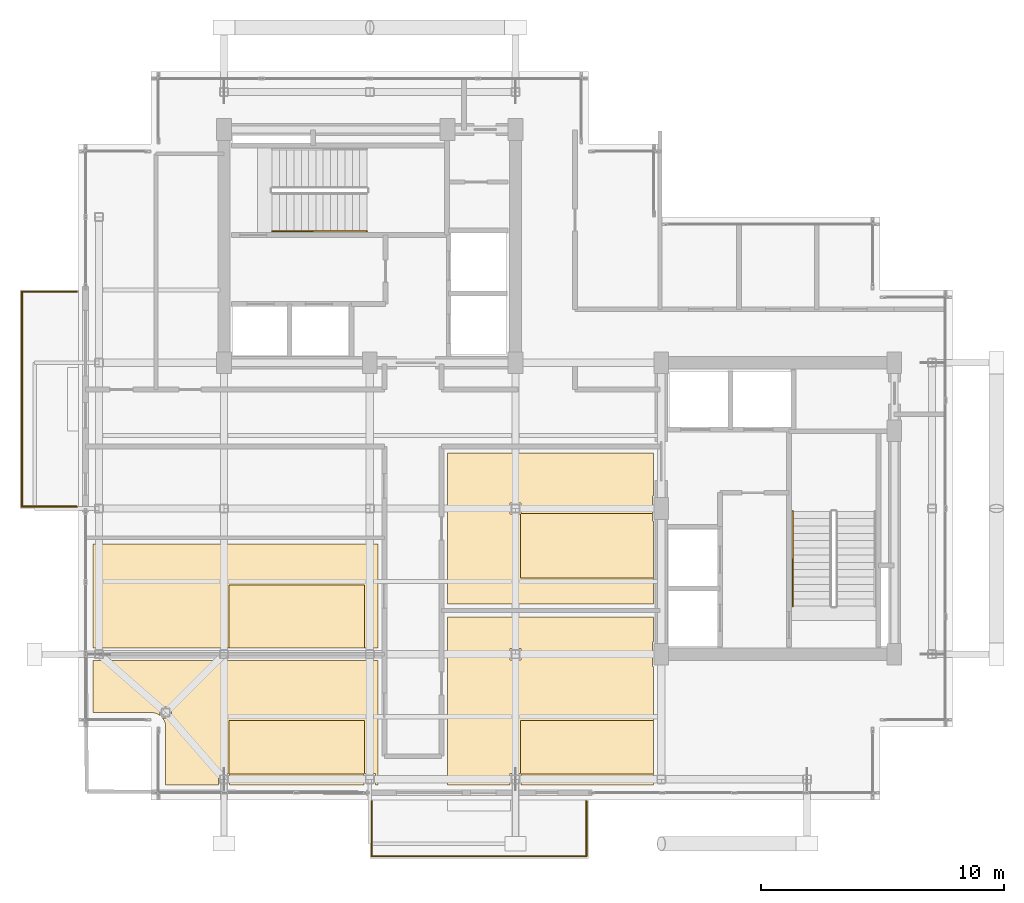
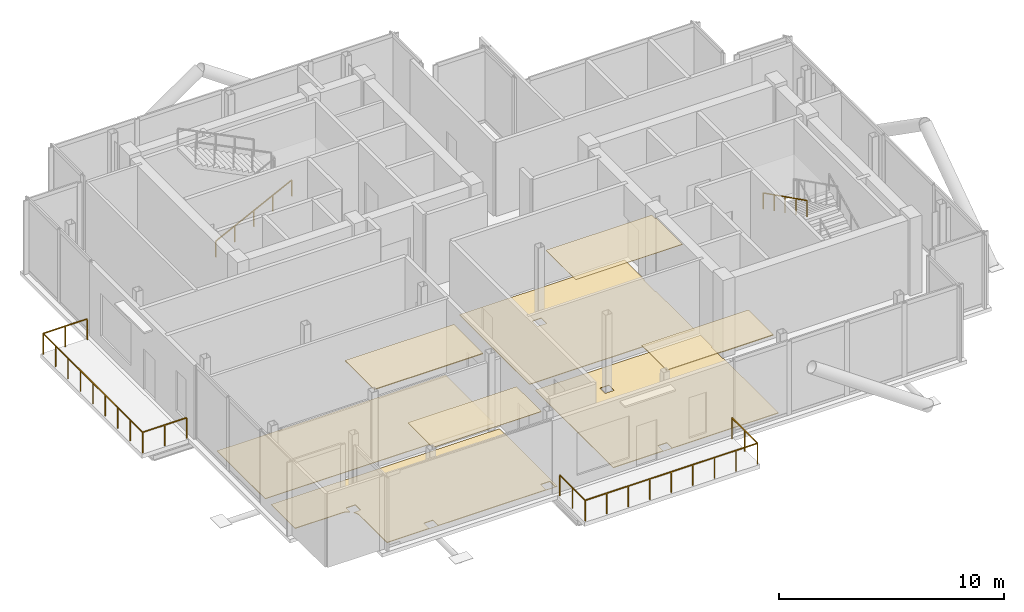
# One storey, part 15 of 16: 8 coverings, 4 railings.
"""IFC4 building model written with IfcOpenShell, lengths in metres."""

import ifcopenshell
import ifcopenshell.guid

model = None  # the IFC model being written
_history = None  # IfcOwnerHistory: only IFC2X3 demands one
_inside = {}  # id of a spatial element -> (the spatial element, [elements in it])
_under = {}  # id of a project, library or spatial element -> (it, [spatial elements below it])
_declared = {}  # id of a project -> (the project, [libraries it declares])
_typed = {}  # id of a type object -> (the type object, [elements of that type])
_made_of = {}  # id of a material, layer set ... -> (it, [elements and type objects made of it])


def new_model(schema):
    """Start an empty IFC model of exactly this schema.

    Asked for "IFC4X3", IfcOpenShell would pick the latest addendum, in which some entities
    have other attributes; the version numbers below select the first issue.
    IFC2X3 requires an IfcOwnerHistory on every rooted entity: one is made here for all.
    """
    global model, _history
    if schema == "IFC4X3":
        model = ifcopenshell.file(schema_version=(4, 3, 0, 0))
    else:
        model = ifcopenshell.file(schema=schema)
    _inside.clear()
    _under.clear()
    _declared.clear()
    _typed.clear()
    _made_of.clear()
    _history = None
    if model.schema == "IFC2X3":
        org = make("IfcOrganization", Name="unknown")
        user = make(
            "IfcPersonAndOrganization",
            ThePerson=make("IfcPerson", FamilyName="unknown"),
            TheOrganization=org,
        )
        app = make(
            "IfcApplication",
            ApplicationDeveloper=org,
            Version="unknown",
            ApplicationFullName="unknown",
            ApplicationIdentifier="unknown",
        )
        _history = make(
            "IfcOwnerHistory",
            OwningUser=user,
            OwningApplication=app,
            ChangeAction="ADDED",
            CreationDate=0,
        )
    return model


def make(cls, **values):
    """One entity of the class cls with the attributes given. An attribute that is None is left unset."""
    return model.create_entity(
        cls, **{name: value for name, value in values.items() if value is not None}
    )


def rooted(cls, **values):
    """An entity with a GlobalId (a new one), such as an element, a storey or a relation."""
    return make(cls, GlobalId=ifcopenshell.guid.new(), OwnerHistory=_history, **values)


def si_unit(unit_type, name, prefix=None):
    """IfcSIUnit, for example si_unit("LENGTHUNIT", "METRE", prefix="MILLI")."""
    return make("IfcSIUnit", UnitType=unit_type, Prefix=prefix, Name=name)


def assignment(units):
    """IfcUnitAssignment: the units of a project."""
    return None if units is None else make("IfcUnitAssignment", Units=units)


def point(xyz):
    """IfcCartesianPoint."""
    return None if xyz is None else make("IfcCartesianPoint", Coordinates=xyz)


def direction(xyz):
    """IfcDirection."""
    return None if xyz is None else make("IfcDirection", DirectionRatios=xyz)


def frame(location, z_axis=None, x_axis=None):
    """IfcAxis2Placement3D, a coordinate frame: its origin and axes. An axis left out is left unset."""
    return make(
        "IfcAxis2Placement3D",
        Location=point(location),
        Axis=direction(z_axis),
        RefDirection=direction(x_axis),
    )


def frame_2d(location, x_axis=None):
    """IfcAxis2Placement2D, a coordinate frame in the plane: its origin and x axis."""
    return make(
        "IfcAxis2Placement2D", Location=point(location), RefDirection=direction(x_axis)
    )


def origin():
    """The frame at (0, 0, 0) with its axes left unset."""
    return frame((0.0, 0.0, 0.0))


def origin_2d():
    """The frame at (0, 0) in the plane with its x axis left unset."""
    return frame_2d((0.0, 0.0))


def place(relative_to, where):
    """IfcLocalPlacement: puts the frame where relative to a parent placement (None: the world)."""
    return make(
        "IfcLocalPlacement", PlacementRelTo=relative_to, RelativePlacement=where
    )


def context(
    kind, dimensions, precision=None, world=None, true_north=None, identifier=None
):
    """IfcGeometricRepresentationContext, for example the 3D "Model" context."""
    return make(
        "IfcGeometricRepresentationContext",
        ContextIdentifier=identifier,
        ContextType=kind,
        CoordinateSpaceDimension=dimensions,
        Precision=precision,
        WorldCoordinateSystem=world,
        TrueNorth=true_north,
    )


def subcontext(parent, identifier, kind, view, scale=None):
    """IfcGeometricRepresentationSubContext, for example "Body" below "Model"."""
    return make(
        "IfcGeometricRepresentationSubContext",
        ContextIdentifier=identifier,
        ContextType=kind,
        ParentContext=parent,
        TargetScale=scale,
        TargetView=view,
    )


def project(units=None, contexts=None):
    """IfcProject with its units and contexts."""
    return rooted(
        "IfcProject",
        Name="project",
        RepresentationContexts=contexts,
        UnitsInContext=assignment(units),
    )


def spatial(cls, under=None, at=None, **own):
    """A site, building, storey or space (cls), placed at a placement, below another one or the project."""
    s = rooted(cls, ObjectPlacement=at, **own)
    if under is not None:
        _under.setdefault(under.id(), (under, []))[1].append(s)
    return s


def polyline(points):
    """IfcPolyline through the points."""
    return make("IfcPolyline", Points=[point(p) for p in points])


def profile(cls, at=None, kind="AREA", **sizes):
    """A parametric profile (cls). Its sizes go by their IFC names, for example OverallWidth=200.0."""
    return make(cls, ProfileType=kind, Position=at, **sizes)


def rectangle(**sizes):
    """IfcRectangleProfileDef."""
    return profile("IfcRectangleProfileDef", **sizes)


def outline(outer, holes=None, kind="AREA"):
    """IfcArbitraryClosedProfileDef: a profile drawn as a closed curve; with holes, ...WithVoids."""
    if holes is None:
        return make("IfcArbitraryClosedProfileDef", ProfileType=kind, OuterCurve=outer)
    return make(
        "IfcArbitraryProfileDefWithVoids",
        ProfileType=kind,
        OuterCurve=outer,
        InnerCurves=holes,
    )


def extrude(swept, where, along, depth):
    """IfcExtrudedAreaSolid: the profile swept, set in the frame where, extruded along a direction by depth."""
    return make(
        "IfcExtrudedAreaSolid",
        SweptArea=swept,
        Position=where,
        ExtrudedDirection=direction(along),
        Depth=depth,
    )


def shape(context_of_items, identifier, shape_type, items):
    """IfcShapeRepresentation: the items that make up one representation, for example the "Body"."""
    return make(
        "IfcShapeRepresentation",
        ContextOfItems=context_of_items,
        RepresentationIdentifier=identifier,
        RepresentationType=shape_type,
        Items=items,
    )


def material(Name=None, Category=None):
    """IfcMaterial."""
    return make("IfcMaterial", Name=Name, Category=Category)


def layer(
    of_material, thickness, ventilated=None, Name=None, Category=None, Priority=None
):
    """IfcMaterialLayer: one layer of a wall or slab, of a material (None: an air gap)."""
    return make(
        "IfcMaterialLayer",
        Material=of_material,
        LayerThickness=thickness,
        IsVentilated=ventilated,
        Name=Name,
        Category=Category,
        Priority=Priority,
    )


def layer_set(layers, Name=None):
    """IfcMaterialLayerSet."""
    return make("IfcMaterialLayerSet", MaterialLayers=layers, LayerSetName=Name)


def made_of(thing, what):
    """Note that an element or type object is made of a material, layer set ...; save() writes the relation."""
    if what is not None:
        _made_of.setdefault(what.id(), (what, []))[1].append(thing)
    return thing


def type_object(cls, material=None, **own):
    """A type object (cls), such as IfcWallType, which elements share."""
    return made_of(rooted(cls, **own), material)


def element(
    cls,
    number,
    at=None,
    inside=None,
    cuts=None,
    type_object=None,
    material=None,
    context=None,
    identifier="Body",
    shape_type=None,
    held_by="IfcProductDefinitionShape",
    body=None,
    shapes=None,
    **own,
):
    """One element of the class cls, such as IfcWall. Its Tag is "e" and its number.

    at: its placement. inside: the storey or other place that contains it. cuts: it is an
    opening in that element (IfcRelVoidsElement). A single representation is given by context,
    identifier, shape_type and body (its items); several are given by shapes. held_by: the class
    of the entity that holds the representations. save() writes the other relations.
    """
    e = rooted(cls, Tag="e%d" % number, ObjectPlacement=at, **own)
    if body is not None:
        shapes = [shape(context, identifier, shape_type, body)]
    if shapes is not None:
        e.Representation = make(held_by, Representations=shapes)
    if inside is not None:
        _inside.setdefault(inside.id(), (inside, []))[1].append(e)
    if cuts is not None:
        rooted(
            "IfcRelVoidsElement", RelatingBuildingElement=cuts, RelatedOpeningElement=e
        )
    if type_object is not None:
        _typed.setdefault(type_object.id(), (type_object, []))[1].append(e)
    return made_of(e, material)


def aggregate(whole, parts):
    """IfcRelAggregates: a whole, such as a stair, and the parts it consists of."""
    return rooted("IfcRelAggregates", RelatingObject=whole, RelatedObjects=parts)


def save(model, path):
    """Write the relations noted so far, then the file.

    IfcRelAggregates (storeys below a building ...), IfcRelContainedInSpatialStructure (elements
    in a storey), IfcRelDefinesByType, IfcRelAssociatesMaterial and IfcRelDeclares: one each for
    every whole, place, type object, material and project.
    """
    for whole, parts in _under.values():
        aggregate(whole, parts)
    for where, things in _inside.values():
        rooted(
            "IfcRelContainedInSpatialStructure",
            RelatedElements=things,
            RelatingStructure=where,
        )
    for kind, things in _typed.values():
        rooted("IfcRelDefinesByType", RelatedObjects=things, RelatingType=kind)
    for what, things in _made_of.values():
        rooted("IfcRelAssociatesMaterial", RelatedObjects=things, RelatingMaterial=what)
    for by, libraries in _declared.values():
        rooted("IfcRelDeclares", RelatingContext=by, RelatedDefinitions=libraries)
    model.write(path)


model = new_model("IFC4")

# Units and contexts
model_context = context("Model", 3, precision=1e-05, world=origin(), true_north=direction((0.0, 1.0)))
body_context = subcontext(model_context, "Body", "Model", "MODEL_VIEW")
ifc_project = project(units=[si_unit("LENGTHUNIT", "METRE"), si_unit("AREAUNIT", "SQUARE_METRE"), si_unit("VOLUMEUNIT", "CUBIC_METRE"), si_unit("PLANEANGLEUNIT", "RADIAN"), si_unit("MASSUNIT", "GRAM", prefix="KILO"), si_unit("THERMODYNAMICTEMPERATUREUNIT", "KELVIN"), si_unit("POWERUNIT", "WATT")], contexts=[model_context])

# Site, building, storey
site_placement = place(None, origin())
site = spatial("IfcSite", under=ifc_project, at=site_placement, CompositionType="ELEMENT")
building_placement = place(site_placement, origin())
building = spatial("IfcBuilding", under=site, at=building_placement, Name="Svarakhadi Broadcast Tower", CompositionType="ELEMENT")
storey_placement = place(building_placement, frame((0.0, 0.0, 292.199951171875)))
storey = spatial("IfcBuildingStorey", under=building, at=storey_placement, Name="L74", CompositionType="ELEMENT", Elevation=292.199951171875)

# Coverings
ifc_material_1 = material(Name="Anodised Bronze Aluminium Linear Acoustic Baffle", Category="aluminium")
ifc_layer_1 = layer(ifc_material_1, 0.044921875)
ifc_layer_set_1 = layer_set([ifc_layer_1], Name="Anodised Bronze Aluminium Linear Acoustic Baffle")
covering_type_1 = type_object("IfcCoveringType", Name="Cov_Ceiling_Baffle", PredefinedType="CEILING", material=ifc_layer_set_1)
covering_1_placement = place(storey_placement, frame((0.0, 0.0, 3.955078125)))
element("IfcCovering", 1, at=covering_1_placement, inside=storey, type_object=covering_type_1, Name="L74 Executive Pre-Function Lounge Acoustic Ceiling", PredefinedType="CEILING", context=body_context, shape_type="SweptSolid", body=[
    extrude(outline(polyline([(6.2099609375, 6.260009765625), (6.2099609375, 8.85498046875), (11.7900390625, 8.85498046875), (11.7900390625, 6.260009765625), (6.2099609375, 6.260009765625)])), origin(), (0.0, 0.0, 1.0), 0.044921875),
])
covering_2_placement = place(storey_placement, frame((0.0, 0.0, 3.955078125)))
element("IfcCovering", 2, at=covering_2_placement, inside=storey, type_object=covering_type_1, Name="L74 Executive Banquet Dining Salon Acoustic Ceiling", PredefinedType="CEILING", context=body_context, shape_type="SweptSolid", body=[
    extrude(outline(polyline([(23.68994140625, 1.06005859375), (18.235107421875, 1.06005859375), (18.235107421875, 1.0849609375), (18.2099609375, 1.0849609375), (18.2099609375, 3.280029296875), (23.68994140625, 3.280029296875), (23.68994140625, 1.06005859375)])), origin(), (0.0, 0.0, 1.0), 0.044921875),
])
ifc_material_2 = material(Name="Micro-Perforated Mineral Fibre Acoustic Ceiling Tile", Category="mineral_fibre")
ifc_layer_2 = layer(ifc_material_2, 0.02490234375)
ifc_layer_set_2 = layer_set([ifc_layer_2], Name="Micro-Perforated Mineral Fibre Acoustic Ceiling Tile")
covering_type_2 = type_object("IfcCoveringType", Name="Cov_Ceiling_Tile", PredefinedType="CEILING", material=ifc_layer_set_2)
covering_3_placement = place(storey_placement, frame((0.0, 0.0, 3.97509765625)))
element("IfcCovering", 3, at=covering_3_placement, inside=storey, type_object=covering_type_2, Name="L74 Chairman Broadcast Boardroom Acoustic Ceiling", PredefinedType="CEILING", context=body_context, shape_type="SweptSolid", body=[
    extrude(outline(polyline([(6.2099609375, 1.0849609375), (6.2099609375, 3.280029296875), (11.7900390625, 3.280029296875), (11.7900390625, 1.0849609375), (11.764892578125, 1.0849609375), (11.764892578125, 1.06005859375), (6.235107421875, 1.06005859375), (6.235107421875, 1.0849609375), (6.2099609375, 1.0849609375)])), origin(), (0.0, 0.0, 1.0), 0.02490234375),
])
covering_4_placement = place(storey_placement, frame((0.0, 0.0, 3.97509765625)))
element("IfcCovering", 4, at=covering_4_placement, inside=storey, type_object=covering_type_2, Name="L74 Executive Finishing Kitchen Acoustic Ceiling", PredefinedType="CEILING", context=body_context, shape_type="SweptSolid", body=[
    extrude(outline(polyline([(23.68994140625, 9.14501953125), (18.2099609375, 9.14501953125), (18.2099609375, 11.764892578125), (18.235107421875, 11.764892578125), (18.235107421875, 11.7900390625), (23.639892578125, 11.7900390625), (23.639892578125, 11.489990234375), (23.68994140625, 11.489990234375), (23.68994140625, 9.14501953125)])), origin(), (0.0, 0.0, 1.0), 0.02490234375),
])
ifc_material_3 = material(Name="Honed Konkan Basalt Stone Tile Flooring", Category="masonry")
ifc_layer_3 = layer(ifc_material_3, 0.034912109375)
ifc_layer_set_3 = layer_set([ifc_layer_3], Name="Honed Konkan Basalt Stone Tile Flooring")
covering_type_3 = type_object("IfcCoveringType", Name="Cov_Floor_Basalt", PredefinedType="FLOORING", material=ifc_layer_set_3)
covering_5_placement = place(storey_placement, origin())
element("IfcCovering", 5, at=covering_5_placement, inside=storey, type_object=covering_type_3, Name="L74 Chairman Broadcast Boardroom Floor Finish", PredefinedType="FLOORING", context=body_context, shape_type="SweptSolid", body=[
    extrude(outline(polyline([(12.340087890625, 0.610107421875), (3.60009765625, 0.610107421875), (3.60009765625, 3.0), (3.60009765625, 3.009033203125), (3.597900390625, 3.050048828125), (3.595947265625, 3.06689453125), (3.590087890625, 3.10791015625), (3.5869140625, 3.1259765625), (3.576904296875, 3.166015625), (3.571044921875, 3.18310546875), (3.556884765625, 3.221923828125), (3.550048828125, 3.239990234375), (3.531982421875, 3.277099609375), (3.52392578125, 3.291015625), (3.5029296875, 3.325927734375), (3.4951171875, 3.339111328125), (3.47607421875, 3.364990234375), (3.8349609375, 3.364990234375), (3.8349609375, 3.8349609375), (3.364990234375, 3.8349609375), (3.364990234375, 3.47607421875), (3.339111328125, 3.4951171875), (3.325927734375, 3.5029296875), (3.291015625, 3.52392578125), (3.277099609375, 3.531982421875), (3.239990234375, 3.550048828125), (3.221923828125, 3.556884765625), (3.18310546875, 3.571044921875), (3.166015625, 3.576904296875), (3.1259765625, 3.5869140625), (3.10791015625, 3.590087890625), (3.06689453125, 3.595947265625), (3.050048828125, 3.597900390625), (3.009033203125, 3.60009765625), (3.0, 3.60009765625), (0.610107421875, 3.60009765625), (0.610107421875, 5.739990234375), (12.340087890625, 5.739990234375), (12.340087890625, 0.610107421875)]), holes=[polyline([(12.235107421875, 0.614990234375), (12.235107421875, 1.0849609375), (11.764892578125, 1.0849609375), (11.764892578125, 0.614990234375), (12.235107421875, 0.614990234375)]), polyline([(6.235107421875, 0.614990234375), (6.235107421875, 1.0849609375), (5.764892578125, 1.0849609375), (5.764892578125, 0.614990234375), (6.235107421875, 0.614990234375)])]), origin(), (0.0, 0.0, 1.0), 0.03515625),
])
covering_6_placement = place(storey_placement, origin())
element("IfcCovering", 6, at=covering_6_placement, inside=storey, type_object=covering_type_3, Name="L74 Executive Banquet Dining Salon Floor Finish", PredefinedType="FLOORING", context=body_context, shape_type="SweptSolid", body=[
    extrude(outline(polyline([(23.68994140625, 7.5400390625), (23.68994140625, 6.510009765625), (23.639892578125, 6.510009765625), (23.639892578125, 5.489990234375), (23.68994140625, 5.489990234375), (23.68994140625, 0.610107421875), (15.2099609375, 0.610107421875), (15.2099609375, 7.5400390625), (23.68994140625, 7.5400390625)]), holes=[polyline([(18.235107421875, 0.614990234375), (18.235107421875, 1.0849609375), (17.764892578125, 1.0849609375), (17.764892578125, 0.614990234375), (18.235107421875, 0.614990234375)]), polyline([(18.235107421875, 5.764892578125), (18.235107421875, 6.235107421875), (17.764892578125, 6.235107421875), (17.764892578125, 5.764892578125), (18.235107421875, 5.764892578125)])]), origin(), (0.0, 0.0, 1.0), 0.03515625),
])
covering_7_placement = place(storey_placement, origin())
element("IfcCovering", 7, at=covering_7_placement, inside=storey, type_object=covering_type_3, Name="L74 Executive Finishing Kitchen Floor Finish", PredefinedType="FLOORING", context=body_context, shape_type="SweptSolid", body=[
    extrude(outline(polyline([(23.68994140625, 14.2900390625), (23.68994140625, 12.510009765625), (23.639892578125, 12.510009765625), (23.639892578125, 11.489990234375), (23.68994140625, 11.489990234375), (23.68994140625, 8.06005859375), (15.2099609375, 8.06005859375), (15.2099609375, 14.2900390625), (23.68994140625, 14.2900390625)]), holes=[polyline([(18.235107421875, 11.764892578125), (18.235107421875, 12.235107421875), (17.764892578125, 12.235107421875), (17.764892578125, 11.764892578125), (18.235107421875, 11.764892578125)])]), origin(), (0.0, 0.0, 1.0), 0.03515625),
])
ifc_material_4 = material(Name="Polished White Marble-Chip Terrazzo Flooring", Category="masonry")
ifc_layer_4 = layer(ifc_material_4, 0.030029296875)
ifc_layer_set_4 = layer_set([ifc_layer_4], Name="Polished White Marble-Chip Terrazzo Flooring")
covering_type_4 = type_object("IfcCoveringType", Name="Cov_Floor_Terrazzo", PredefinedType="FLOORING", material=ifc_layer_set_4)
covering_8_placement = place(storey_placement, origin())
element("IfcCovering", 8, at=covering_8_placement, inside=storey, type_object=covering_type_4, Name="L74 Executive Pre-Function Lounge Floor Finish", PredefinedType="FLOORING", context=body_context, shape_type="SweptSolid", body=[
    extrude(outline(polyline([(12.340087890625, 10.5400390625), (12.340087890625, 6.260009765625), (0.610107421875, 6.260009765625), (0.610107421875, 10.5400390625), (12.340087890625, 10.5400390625)])), origin(), (0.0, 0.0, 1.0), 0.030029296875),
])

# Railings
ifc_material_5 = material(Name="Laminated Structural SentryGlas Balustrade 25.5 mm", Category="glass")
railing_type_1 = type_object("IfcRailingType", Name="Guard_Balcony_GR01", PredefinedType="BALUSTRADE", material=ifc_material_5)
railing_1_placement = place(storey_placement, frame((12.080078125, -0.06005859375, 0.0)))
element("IfcRailing", 9, at=railing_1_placement, inside=storey, type_object=railing_type_1, Name="L74 South Tree Balcony Guard GR-05", PredefinedType="BALUSTRADE", context=body_context, shape_type="SweptSolid", body=[
    extrude(rectangle(XDim=0.048095703125, YDim=0.048095703125, at=origin_2d()), frame((0.0, 0.0, 1.1259765625), z_axis=(0.0, -1.0, 0.0), x_axis=(1.0, 0.0, 0.0)), (0.0, 0.0, 1.0), 2.260009765625),
    extrude(rectangle(XDim=0.048095703125, YDim=0.048095703125, at=origin_2d()), frame((0.0, -2.260009765625, 1.1259765625), z_axis=(1.0, 0.0, 0.0), x_axis=(0.0, 1.0, 0.0)), (0.0, 0.0, 1.0), 8.83984375),
    extrude(rectangle(XDim=0.048095703125, YDim=0.048095703125, at=origin_2d()), frame((8.83984375, -2.260009765625, 1.1259765625), z_axis=(0.0, 1.0, 0.0), x_axis=(-1.0, 0.0, 0.0)), (0.0, 0.0, 1.0), 2.260009765625),
    extrude(rectangle(XDim=0.0419921875, YDim=0.0419921875, at=origin_2d()), origin(), (0.0, 0.0, 1.0), 1.101806640625),
    extrude(rectangle(XDim=0.0419921875, YDim=0.0419921875, at=origin_2d()), frame((0.0, -1.1298828125, 0.0)), (0.0, 0.0, 1.0), 1.101806640625),
    extrude(rectangle(XDim=0.0419921875, YDim=0.0419921875, at=origin_2d()), frame((0.0, -2.260009765625, 0.0)), (0.0, 0.0, 1.0), 1.101806640625),
    extrude(rectangle(XDim=0.0419921875, YDim=0.0419921875, at=origin_2d()), frame((1.10498046875, -2.260009765625, 0.0)), (0.0, 0.0, 1.0), 1.101806640625),
    extrude(rectangle(XDim=0.0419921875, YDim=0.0419921875, at=origin_2d()), frame((2.2099609375, -2.260009765625, 0.0)), (0.0, 0.0, 1.0), 1.101806640625),
    extrude(rectangle(XDim=0.0419921875, YDim=0.0419921875, at=origin_2d()), frame((3.31494140625, -2.260009765625, 0.0)), (0.0, 0.0, 1.0), 1.101806640625),
    extrude(rectangle(XDim=0.0419921875, YDim=0.0419921875, at=origin_2d()), frame((4.419921875, -2.260009765625, 0.0)), (0.0, 0.0, 1.0), 1.101806640625),
    extrude(rectangle(XDim=0.0419921875, YDim=0.0419921875, at=origin_2d()), frame((5.52490234375, -2.260009765625, 0.0)), (0.0, 0.0, 1.0), 1.101806640625),
    extrude(rectangle(XDim=0.0419921875, YDim=0.0419921875, at=origin_2d()), frame((6.6298828125, -2.260009765625, 0.0)), (0.0, 0.0, 1.0), 1.101806640625),
    extrude(rectangle(XDim=0.0419921875, YDim=0.0419921875, at=origin_2d()), frame((7.73486328125, -2.260009765625, 0.0)), (0.0, 0.0, 1.0), 1.101806640625),
    extrude(rectangle(XDim=0.0419921875, YDim=0.0419921875, at=origin_2d()), frame((8.83984375, -2.260009765625, 0.0)), (0.0, 0.0, 1.0), 1.101806640625),
    extrude(rectangle(XDim=0.0419921875, YDim=0.0419921875, at=origin_2d()), frame((8.83984375, -1.1298828125, 0.0)), (0.0, 0.0, 1.0), 1.101806640625),
    extrude(rectangle(XDim=0.0419921875, YDim=0.0419921875, at=origin_2d()), frame((8.83984375, 0.0, 0.0)), (0.0, 0.0, 1.0), 1.101806640625),
])
railing_2_placement = place(storey_placement, frame((-0.06005859375, 12.080078125, 0.0)))
element("IfcRailing", 10, at=railing_2_placement, inside=storey, type_object=railing_type_1, Name="L74 West Tree Balcony Guard GR-05", PredefinedType="BALUSTRADE", context=body_context, shape_type="SweptSolid", body=[
    extrude(rectangle(XDim=0.048095703125, YDim=0.048095703125, at=origin_2d()), frame((0.0, 0.0, 1.1259765625), z_axis=(-1.0, 0.0, 0.0), x_axis=(0.0, -1.0, 0.0)), (0.0, 0.0, 1.0), 2.260009765625),
    extrude(rectangle(XDim=0.048095703125, YDim=0.048095703125, at=origin_2d()), frame((-2.260009765625, 0.0, 1.1259765625), z_axis=(0.0, 1.0, 0.0), x_axis=(-1.0, 0.0, 0.0)), (0.0, 0.0, 1.0), 8.83984375),
    extrude(rectangle(XDim=0.048095703125, YDim=0.048095703125, at=origin_2d()), frame((-2.260009765625, 8.83984375, 1.1259765625), z_axis=(1.0, 0.0, 0.0), x_axis=(0.0, 1.0, 0.0)), (0.0, 0.0, 1.0), 2.260009765625),
    extrude(rectangle(XDim=0.0419921875, YDim=0.0419921875, at=origin_2d()), origin(), (0.0, 0.0, 1.0), 1.101806640625),
    extrude(rectangle(XDim=0.0419921875, YDim=0.0419921875, at=origin_2d()), frame((-1.1298828125, 0.0, 0.0)), (0.0, 0.0, 1.0), 1.101806640625),
    extrude(rectangle(XDim=0.0419921875, YDim=0.0419921875, at=origin_2d()), frame((-2.260009765625, 0.0, 0.0)), (0.0, 0.0, 1.0), 1.101806640625),
    extrude(rectangle(XDim=0.0419921875, YDim=0.0419921875, at=origin_2d()), frame((-2.260009765625, 1.10498046875, 0.0)), (0.0, 0.0, 1.0), 1.101806640625),
    extrude(rectangle(XDim=0.0419921875, YDim=0.0419921875, at=origin_2d()), frame((-2.260009765625, 2.2099609375, 0.0)), (0.0, 0.0, 1.0), 1.101806640625),
    extrude(rectangle(XDim=0.0419921875, YDim=0.0419921875, at=origin_2d()), frame((-2.260009765625, 3.31494140625, 0.0)), (0.0, 0.0, 1.0), 1.101806640625),
    extrude(rectangle(XDim=0.0419921875, YDim=0.0419921875, at=origin_2d()), frame((-2.260009765625, 4.419921875, 0.0)), (0.0, 0.0, 1.0), 1.101806640625),
    extrude(rectangle(XDim=0.0419921875, YDim=0.0419921875, at=origin_2d()), frame((-2.260009765625, 5.52490234375, 0.0)), (0.0, 0.0, 1.0), 1.101806640625),
    extrude(rectangle(XDim=0.0419921875, YDim=0.0419921875, at=origin_2d()), frame((-2.260009765625, 6.6298828125, 0.0)), (0.0, 0.0, 1.0), 1.101806640625),
    extrude(rectangle(XDim=0.0419921875, YDim=0.0419921875, at=origin_2d()), frame((-2.260009765625, 7.73486328125, 0.0)), (0.0, 0.0, 1.0), 1.101806640625),
    extrude(rectangle(XDim=0.0419921875, YDim=0.0419921875, at=origin_2d()), frame((-2.260009765625, 8.83984375, 0.0)), (0.0, 0.0, 1.0), 1.101806640625),
    extrude(rectangle(XDim=0.0419921875, YDim=0.0419921875, at=origin_2d()), frame((-1.1298828125, 8.83984375, 0.0)), (0.0, 0.0, 1.0), 1.101806640625),
    extrude(rectangle(XDim=0.0419921875, YDim=0.0419921875, at=origin_2d()), frame((0.0, 8.83984375, 0.0)), (0.0, 0.0, 1.0), 1.101806640625),
])
ifc_material_6 = material(Name="Anodised Bronze Aluminium AA 6063-T6", Category="aluminium")
railing_type_2 = type_object("IfcRailingType", Name="Handrail_Stair_HR01", PredefinedType="HANDRAIL", material=ifc_material_6)
railing_3_placement = place(storey_placement, frame((7.97998046875, 23.409912109375, 0.150146484375)))
element("IfcRailing", 11, at=railing_3_placement, inside=storey, type_object=railing_type_2, Name="L74 ST-01 stair handrail 1", PredefinedType="HANDRAIL", context=body_context, shape_type="SweptSolid", body=[
    extrude(rectangle(XDim=0.048095703125, YDim=0.048095703125, at=origin_2d()), frame((0.0, 0.0, 0.8759765625), z_axis=(0.894427191, 0.0, 0.4472135955), x_axis=(0.0, 1.0, 0.0)), (0.0, 0.0, 1.0), 4.360107421875),
    extrude(rectangle(XDim=0.0419921875, YDim=0.0419921875, at=origin_2d()), origin(), (0.0, 0.0, 1.0), 0.851806640625),
    extrude(rectangle(XDim=0.0419921875, YDim=0.0419921875, at=origin_2d()), frame((0.97509765625, 0.0, 0.487548828125)), (0.0, 0.0, 1.0), 0.851806640625),
    extrude(rectangle(XDim=0.0419921875, YDim=0.0419921875, at=origin_2d()), frame((1.949951171875, 0.0, 0.97509765625)), (0.0, 0.0, 1.0), 0.851806640625),
    extrude(rectangle(XDim=0.0419921875, YDim=0.0419921875, at=origin_2d()), frame((2.9248046875, 0.0, 1.46240234375)), (0.0, 0.0, 1.0), 0.851806640625),
    extrude(rectangle(XDim=0.0419921875, YDim=0.0419921875, at=origin_2d()), frame((3.89990234375, 0.0, 1.949951171875)), (0.0, 0.0, 1.0), 0.851806640625),
])
railing_4_placement = place(storey_placement, frame((29.409912109375, 11.8798828125, 2.25)))
element("IfcRailing", 12, at=railing_4_placement, inside=storey, type_object=railing_type_2, Name="L74 ST-02 stair handrail 2", PredefinedType="HANDRAIL", context=body_context, shape_type="SweptSolid", body=[
    extrude(rectangle(XDim=0.048095703125, YDim=0.048095703125, at=origin_2d()), frame((0.0, 0.0, 0.8759765625), z_axis=(0.0, -0.894427191, 0.4472135955), x_axis=(1.0, 0.0, 0.0)), (0.0, 0.0, 1.0), 4.360107421875),
    extrude(rectangle(XDim=0.0419921875, YDim=0.0419921875, at=origin_2d()), origin(), (0.0, 0.0, 1.0), 0.851806640625),
    extrude(rectangle(XDim=0.0419921875, YDim=0.0419921875, at=origin_2d()), frame((0.0, -0.97509765625, 0.487548828125)), (0.0, 0.0, 1.0), 0.851806640625),
    extrude(rectangle(XDim=0.0419921875, YDim=0.0419921875, at=origin_2d()), frame((0.0, -1.949951171875, 0.97509765625)), (0.0, 0.0, 1.0), 0.851806640625),
    extrude(rectangle(XDim=0.0419921875, YDim=0.0419921875, at=origin_2d()), frame((0.0, -2.9248046875, 1.46240234375)), (0.0, 0.0, 1.0), 0.851806640625),
    extrude(rectangle(XDim=0.0419921875, YDim=0.0419921875, at=origin_2d()), frame((0.0, -3.89990234375, 1.949951171875)), (0.0, 0.0, 1.0), 0.851806640625),
])

save(model, "model.ifc")
